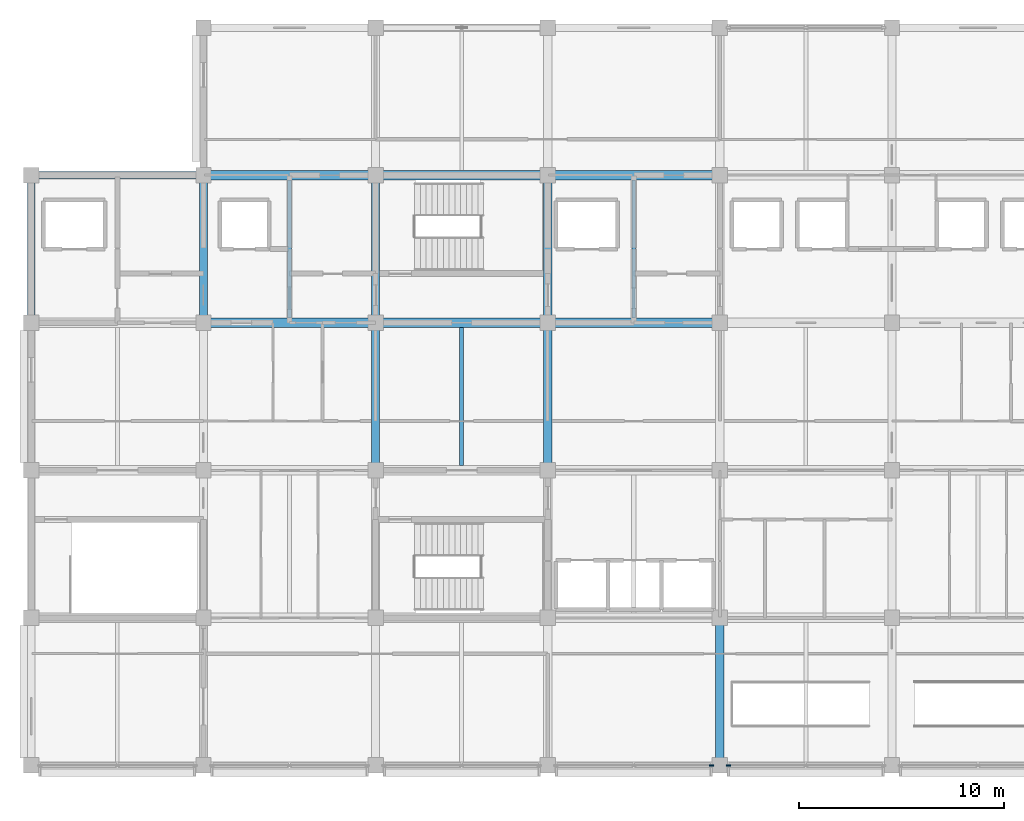
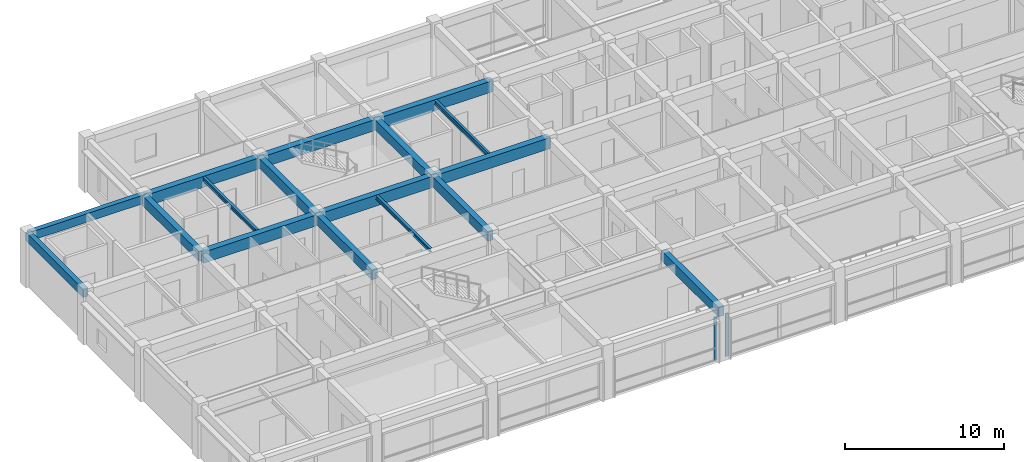
# One storey, part 3 of 23: 17 beams, 2 members, 2 elements without a shape of their own.
"""IFC4 building model written with IfcOpenShell, lengths in metres."""

from ifc_helpers import new_model, si_unit, direction, frame, origin, origin_2d, place, context, subcontext, project, spatial, rectangle, i_section, extrude, material, layer, layer_set, material_profile, profile_set, type_object, element, aggregate, save


model = new_model("IFC4")

# Units and contexts
model_context = context("Model", 3, precision=1e-05, world=origin(), true_north=direction((0.0, 1.0)))
body_context = subcontext(model_context, "Body", "Model", "MODEL_VIEW")
ifc_project = project(units=[si_unit("LENGTHUNIT", "METRE"), si_unit("AREAUNIT", "SQUARE_METRE"), si_unit("VOLUMEUNIT", "CUBIC_METRE"), si_unit("PLANEANGLEUNIT", "RADIAN"), si_unit("MASSUNIT", "GRAM", prefix="KILO")], contexts=[model_context])

# Site, building, storey
site_placement = place(None, origin())
site = spatial("IfcSite", under=ifc_project, at=site_placement, CompositionType="ELEMENT")
building_placement = place(site_placement, origin())
building = spatial("IfcBuilding", under=site, at=building_placement, Name="Chengyuan Square Courthouse", CompositionType="ELEMENT")
storey_placement = place(building_placement, frame((0.0, 0.0, 43.5)))
storey = spatial("IfcBuildingStorey", under=building, at=storey_placement, Name="L10", CompositionType="ELEMENT", Elevation=43.5)

# Beams
ifc_material_1 = material(Name="Concrete C40", Category="concrete")
ifc_material_profile_1 = material_profile(ifc_material_1, rectangle(XDim=0.449951171875, YDim=0.85009765625, at=origin_2d()), Name="RC-BM-450x850")
ifc_profile_set_1 = profile_set([ifc_material_profile_1], Name="Concrete C40")
beam_type_1 = type_object("IfcBeamType", Name="BM-01", PredefinedType="USERDEFINED", material=ifc_profile_set_1)
beam_1_placement = place(storey_placement, frame((50.39990234375, 100.800048828125, 3.52490234375), z_axis=(1.0, 0.0, 0.0), x_axis=(0.0, 1.0, 0.0)))
element("IfcBeam", 1, at=beam_1_placement, inside=storey, type_object=beam_type_1, Name="Girder BM-L10-4057", ObjectType="GIRDER", PredefinedType="USERDEFINED", context=body_context, shape_type="SweptSolid", body=[
    extrude(rectangle(XDim=0.449951171875, YDim=0.85009765625, at=origin_2d()), origin(), (0.0, 0.0, 1.0), 8.400146484375),
])
beam_2_placement = place(storey_placement, frame((58.800048828125, 100.800048828125, 3.52490234375), z_axis=(1.0, 0.0, 0.0), x_axis=(0.0, 1.0, 0.0)))
element("IfcBeam", 2, at=beam_2_placement, inside=storey, type_object=beam_type_1, Name="Girder BM-L10-4058", ObjectType="GIRDER", PredefinedType="USERDEFINED", context=body_context, shape_type="SweptSolid", body=[
    extrude(rectangle(XDim=0.449951171875, YDim=0.85009765625, at=origin_2d()), origin(), (0.0, 0.0, 1.0), 8.39990234375),
])
for number, where, z_axis, x_axis, name in (
    (3, (67.199951171875, 100.800048828125, 3.52490234375), (1.0, 0.0, 0.0), (0.0, 1.0, 0.0), "Girder BM-L10-4059"),
    (4, (50.39990234375, 108.0, 3.52490234375), (1.0, 0.0, 0.0), (0.0, 1.0, 0.0), "Girder BM-L10-4067"),
):
    element("IfcBeam", number, at=place(storey_placement, frame(where, z_axis=z_axis, x_axis=x_axis)), inside=storey, type_object=beam_type_1, Name=name, ObjectType="GIRDER", PredefinedType="USERDEFINED", context=body_context, shape_type="SweptSolid", body=[
        extrude(rectangle(XDim=0.449951171875, YDim=0.85009765625, at=origin_2d()), origin(), (0.0, 0.0, 1.0), 8.400146484375),
    ])
beam_3_placement = place(storey_placement, frame((58.800048828125, 108.0, 3.52490234375), z_axis=(1.0, 0.0, 0.0), x_axis=(0.0, 1.0, 0.0)))
element("IfcBeam", 5, at=beam_3_placement, inside=storey, type_object=beam_type_1, Name="Girder BM-L10-4068", ObjectType="GIRDER", PredefinedType="USERDEFINED", context=body_context, shape_type="SweptSolid", body=[
    extrude(rectangle(XDim=0.449951171875, YDim=0.85009765625, at=origin_2d()), origin(), (0.0, 0.0, 1.0), 8.39990234375),
])
beam_4_placement = place(storey_placement, frame((67.199951171875, 108.0, 3.52490234375), z_axis=(1.0, 0.0, 0.0), x_axis=(0.0, 1.0, 0.0)))
element("IfcBeam", 6, at=beam_4_placement, inside=storey, type_object=beam_type_1, Name="Girder BM-L10-4069", ObjectType="GIRDER", PredefinedType="USERDEFINED", context=body_context, shape_type="SweptSolid", body=[
    extrude(rectangle(XDim=0.449951171875, YDim=0.85009765625, at=origin_2d()), origin(), (0.0, 0.0, 1.0), 8.400146484375),
])
ifc_material_profile_2 = material_profile(ifc_material_1, rectangle(XDim=0.39990234375, YDim=0.75, at=origin_2d()), Name="RC-BM-400x750")
ifc_profile_set_2 = profile_set([ifc_material_profile_2], Name="Concrete C40")
beam_type_2 = type_object("IfcBeamType", Name="BM-02", PredefinedType="USERDEFINED", material=ifc_profile_set_2)
for number, where, z_axis, x_axis, name in (
    (7, (50.39990234375, 100.800048828125, 3.574951171875), (0.0, 1.0, 0.0), (-1.0, 0.0, 0.0), "Girder BM-L10-4091"),
    (8, (58.800048828125, 93.60009765625, 3.574951171875), (0.0, 1.0, 0.0), (-1.0, 0.0, 0.0), "Girder BM-L10-4095"),
    (9, (58.800048828125, 100.800048828125, 3.574951171875), (0.0, 1.0, 0.0), (-1.0, 0.0, 0.0), "Girder BM-L10-4096"),
    (10, (67.199951171875, 93.60009765625, 3.574951171875), (0.0, 1.0, 0.0), (-1.0, 0.0, 0.0), "Girder BM-L10-4100"),
    (11, (67.199951171875, 100.800048828125, 3.574951171875), (0.0, 1.0, 0.0), (-1.0, 0.0, 0.0), "Girder BM-L10-4101"),
    (12, (75.60009765625, 79.199951171875, 3.574951171875), (0.0, 1.0, 0.0), (-1.0, 0.0, 0.0), "Girder BM-L10-4103"),
):
    element("IfcBeam", number, at=place(storey_placement, frame(where, z_axis=z_axis, x_axis=x_axis)), inside=storey, type_object=beam_type_2, Name=name, ObjectType="GIRDER", PredefinedType="USERDEFINED", context=body_context, shape_type="SweptSolid", body=[
        extrude(rectangle(XDim=0.39990234375, YDim=0.75, at=origin_2d()), origin(), (0.0, 0.0, 1.0), 7.199951171875),
    ])
ifc_material_profile_3 = material_profile(ifc_material_1, rectangle(XDim=0.35009765625, YDim=0.64990234375, at=origin_2d()), Name="RC-BM-350x650")
ifc_profile_set_3 = profile_set([ifc_material_profile_3], Name="Concrete C40")
beam_type_3 = type_object("IfcBeamType", Name="BM-03", PredefinedType="SPANDREL", material=ifc_profile_set_3)
beam_5_placement = place(storey_placement, frame((42.0, 108.0, 3.675048828125), z_axis=(1.0, 0.0, 0.0), x_axis=(0.0, 1.0, 0.0)))
element("IfcBeam", 13, at=beam_5_placement, inside=storey, type_object=beam_type_3, Name="Girder BM-L10-4066", PredefinedType="SPANDREL", context=body_context, shape_type="SweptSolid", body=[
    extrude(rectangle(XDim=0.35009765625, YDim=0.64990234375, at=origin_2d()), origin(), (0.0, 0.0, 1.0), 8.39990234375),
])
beam_6_placement = place(storey_placement, frame((42.0, 100.800048828125, 3.675048828125), z_axis=(0.0, 1.0, 0.0), x_axis=(-1.0, 0.0, 0.0)))
element("IfcBeam", 14, at=beam_6_placement, inside=storey, type_object=beam_type_3, Name="Girder BM-L10-4087", PredefinedType="SPANDREL", context=body_context, shape_type="SweptSolid", body=[
    extrude(rectangle(XDim=0.35009765625, YDim=0.64990234375, at=origin_2d()), origin(), (0.0, 0.0, 1.0), 7.199951171875),
])
ifc_material_2 = material(Name="Steel Q355B", Category="steel")
ifc_material_profile_4 = material_profile(ifc_material_2, i_section(OverallWidth=0.175048828125, OverallDepth=0.35009765625, WebThickness=0.007080078125, FlangeThickness=0.010986328125, at=origin_2d()), Name="HN 350x175x7x11")
ifc_profile_set_4 = profile_set([ifc_material_profile_4], Name="Steel Q355B")
beam_type_4 = type_object("IfcBeamType", Name="BM-08", PredefinedType="BEAM", material=ifc_profile_set_4)
beam_7_placement = place(storey_placement, frame((71.39990234375, 101.02490234375, 3.77490234375), z_axis=(0.0, 1.0, 0.0), x_axis=(-1.0, 0.0, 0.0)))
element("IfcBeam", 15, at=beam_7_placement, inside=storey, type_object=beam_type_4, Name="Secondary Floor Beam SBM-L10-4145", PredefinedType="BEAM", context=body_context, shape_type="SweptSolid", body=[
    extrude(i_section(OverallWidth=0.175048828125, OverallDepth=0.35009765625, WebThickness=0.007080078125, FlangeThickness=0.010986328125, at=origin_2d()), origin(), (0.0, 0.0, 1.0), 6.75),
])
ifc_material_profile_5 = material_profile(ifc_material_2, i_section(OverallWidth=0.199951171875, OverallDepth=0.300048828125, WebThickness=0.008056640625, FlangeThickness=0.011962890625, at=origin_2d()), Name="HM 300x200x8x12")
ifc_profile_set_5 = profile_set([ifc_material_profile_5], Name="Steel Q355B")
beam_type_5 = type_object("IfcBeamType", Name="BM-09", PredefinedType="BEAM", material=ifc_profile_set_5)
for number, where, z_axis, x_axis, name in (
    (16, (54.60009765625, 101.02490234375, 3.800048828125), (0.0, 1.0, 0.0), (-1.0, 0.0, 0.0), "Secondary Floor Beam SBM-L10-4140"),
    (17, (63.0, 93.824951171875, 3.800048828125), (0.0, 1.0, 0.0), (-1.0, 0.0, 0.0), "Secondary Floor Beam SBM-L10-4142"),
):
    element("IfcBeam", number, at=place(storey_placement, frame(where, z_axis=z_axis, x_axis=x_axis)), inside=storey, type_object=beam_type_5, Name=name, PredefinedType="BEAM", context=body_context, shape_type="SweptSolid", body=[
        extrude(i_section(OverallWidth=0.199951171875, OverallDepth=0.300048828125, WebThickness=0.008056640625, FlangeThickness=0.011962890625, at=origin_2d()), origin(), (0.0, 0.0, 1.0), 6.75),
    ])

# Curtain wall, member
ifc_material_3 = material(Name="Unitised Aluminium and Triple Low-E Glass", Category="aluminium")
ifc_layer = layer(ifc_material_3, 0.219970703125)
ifc_layer_set = layer_set([ifc_layer], Name="Unitised Aluminium and Triple Low-E Glass")
curtain_wall_type = type_object("IfcCurtainWallType", Name="CW-04", PredefinedType="USERDEFINED", material=ifc_layer_set)
curtain_wall_1_placement = place(storey_placement, origin())
curtain_wall_1 = element("IfcCurtainWall", 18, at=curtain_wall_1_placement, inside=storey, type_object=curtain_wall_type, Name="Unitised Curtain Wall CW-L10-250", ObjectType="UNITISED CURTAIN WALL", PredefinedType="USERDEFINED")
ifc_material_4 = material(Name="Aluminium 6063-T6 Frame", Category="aluminium")
ifc_material_profile_6 = material_profile(ifc_material_4, rectangle(XDim=0.080078125, YDim=0.219970703125, at=origin_2d()), Name="CW-MUL-80x220")
ifc_profile_set_6 = profile_set([ifc_material_profile_6], Name="Aluminium 6063-T6 Frame")
member_type = type_object("IfcMemberType", Name="CWM-04", PredefinedType="MULLION", material=ifc_profile_set_6)
member_1_placement = place(storey_placement, frame((75.18505859375, 79.199951171875, 0.0), z_axis=(0.0, 0.0, 1.0), x_axis=(0.0, 1.0, 0.0)))
member_1 = element("IfcMember", 19, at=member_1_placement, type_object=member_type, Name="CW-04 mullion 3", PredefinedType="MULLION", context=body_context, shape_type="SweptSolid", body=[
    extrude(rectangle(XDim=0.080078125, YDim=0.219970703125, at=origin_2d()), origin(), (0.0, 0.0, 1.0), 3.300048828125),
])
aggregate(curtain_wall_1, [member_1])

curtain_wall_2_placement = place(storey_placement, origin())
curtain_wall_2 = element("IfcCurtainWall", 20, at=curtain_wall_2_placement, inside=storey, type_object=curtain_wall_type, Name="Unitised Curtain Wall CW-L10-251", ObjectType="UNITISED CURTAIN WALL", PredefinedType="USERDEFINED")
member_2_placement = place(storey_placement, frame((76.014892578125, 79.199951171875, 0.0), z_axis=(0.0, 0.0, 1.0), x_axis=(0.0, 1.0, 0.0)))
member_2 = element("IfcMember", 21, at=member_2_placement, type_object=member_type, Name="CW-04 mullion 1", PredefinedType="MULLION", context=body_context, shape_type="SweptSolid", body=[
    extrude(rectangle(XDim=0.080078125, YDim=0.219970703125, at=origin_2d()), origin(), (0.0, 0.0, 1.0), 3.300048828125),
])
aggregate(curtain_wall_2, [member_2])

save(model, "model.ifc")
